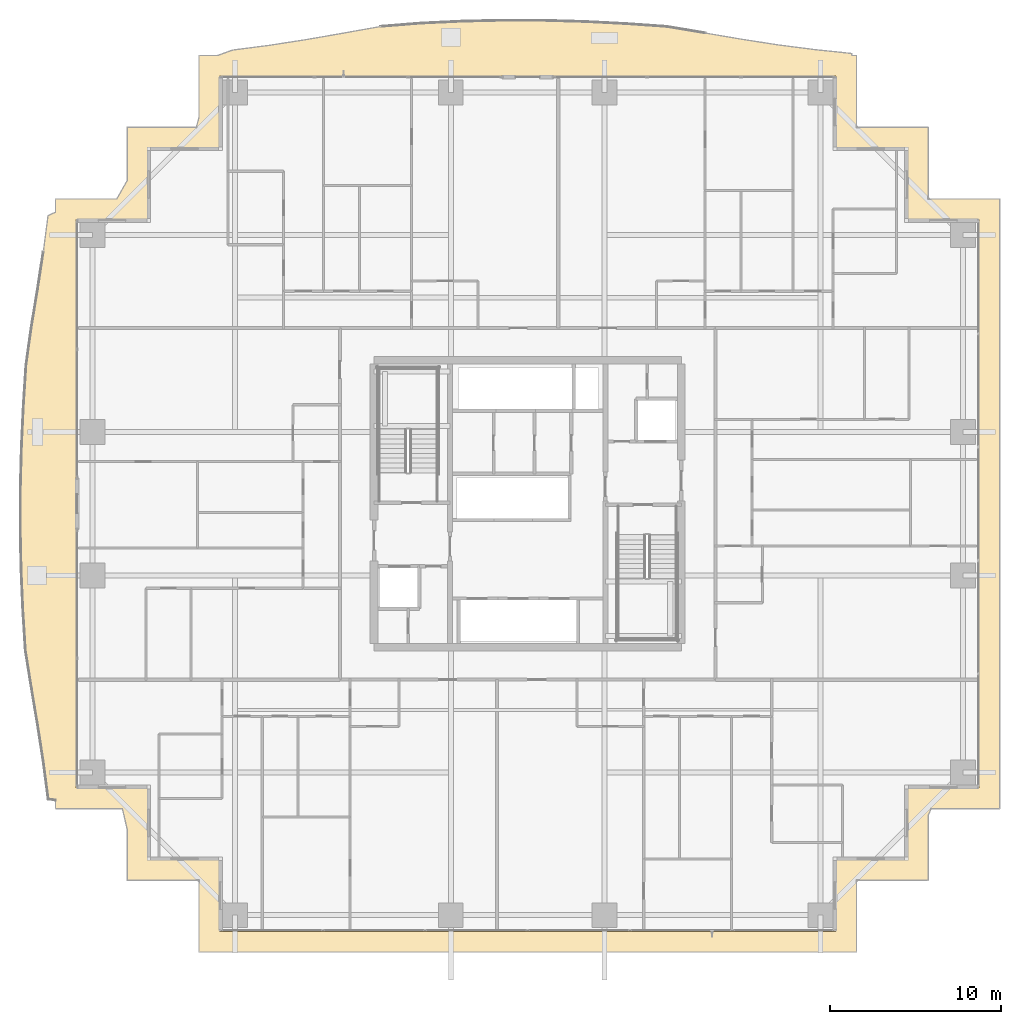
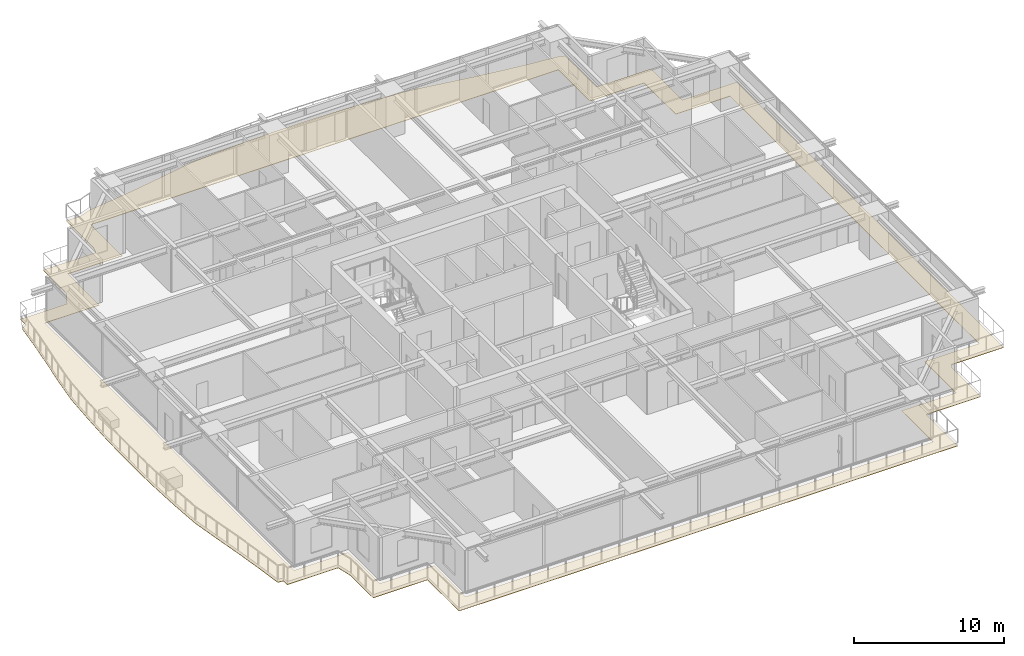
# One storey, part 33 of 36: 1 covering.
"""IFC4 building model written with IfcOpenShell, lengths in metres."""

from ifc_helpers import new_model, si_unit, direction, frame, origin, place, context, subcontext, project, spatial, polyline, outline, extrude, material, layer, layer_set, type_object, element, save


model = new_model("IFC4")

# Units and contexts
model_context = context("Model", 3, precision=1e-05, world=origin(), true_north=direction((0.0, 1.0)))
body_context = subcontext(model_context, "Body", "Model", "MODEL_VIEW")
ifc_project = project(units=[si_unit("LENGTHUNIT", "METRE"), si_unit("AREAUNIT", "SQUARE_METRE"), si_unit("VOLUMEUNIT", "CUBIC_METRE"), si_unit("PLANEANGLEUNIT", "RADIAN"), si_unit("MASSUNIT", "GRAM", prefix="KILO")], contexts=[model_context])

# Site, building, storey
site_placement = place(None, origin())
site = spatial("IfcSite", under=ifc_project, at=site_placement, CompositionType="ELEMENT")
building_placement = place(site_placement, origin())
building = spatial("IfcBuilding", under=site, at=building_placement, Name="Serunith Strait Residences", CompositionType="ELEMENT")
storey_placement = place(building_placement, frame((0.0, 0.0, 41.699951171875)))
storey = spatial("IfcBuildingStorey", under=building, at=storey_placement, Name="L09", CompositionType="ELEMENT", Elevation=41.699951171875)

# Covering
ifc_material = material(Name="Golden Teak Exterior Timber Boarding", Category="wood")
ifc_layer = layer(ifc_material, 0.034912109375, Name="Golden Teak Exterior Timber Boarding")
ifc_layer_set = layer_set([ifc_layer], Name="Golden Teak Exterior Timber Boarding")
covering_type = type_object("IfcCoveringType", Name="COV-TEAK-SOFFIT", PredefinedType="CEILING", material=ifc_layer_set)
covering_placement = place(storey_placement, frame((0.0, 0.0, -0.324951171875)))
element("IfcCovering", 1, at=covering_placement, inside=storey, type_object=covering_type, Name="L09 Golden-Teak Balcony Soffit Lining", PredefinedType="CEILING", context=body_context, shape_type="SweptSolid", body=[
    extrude(outline(polyline([(4.739990234375, 7.829833984375), (4.318603515625, 7.897216796875), (4.0380859375, 10.025390625), (3.7080078125, 12.17626953125), (3.340576171875, 14.366943359375), (2.9794921875, 16.618896484375), (2.832763671875, 18.974853515625), (2.73046875, 21.360107421875), (2.681396484375, 23.7646484375), (2.689453125, 26.17529296875), (2.752685546875, 28.578369140625), (2.8642578125, 30.961669921875), (3.01318359375, 33.316650390625), (3.3310546875, 35.5869140625), (3.693603515625, 37.7861328125), (4.0205078125, 39.945068359375), (4.29931640625, 42.079833984375), (4.739990234375, 42.28271484375), (4.739990234375, 43.06005859375), (8.32666015625, 43.06005859375), (8.93994140625, 44.139892578125), (8.93994140625, 47.260009765625), (12.990478515625, 47.260009765625), (13.139892578125, 47.826416015625), (13.139892578125, 51.4599609375), (14.225341796875, 51.4599609375), (15.106689453125, 51.778076171875), (17.228515625, 52.05224609375), (19.369873046875, 52.3837890625), (21.549560546875, 52.7626953125), (23.78759765625, 53.162109375), (26.1416015625, 53.348388671875), (28.53759765625, 53.46240234375), (30.955810546875, 53.517822265625), (33.38134765625, 53.509521484375), (35.798095703125, 53.440185546875), (38.192138671875, 53.317626953125), (40.553466796875, 53.155029296875), (42.805908203125, 52.77734375), (44.994873046875, 52.40283203125), (47.144775390625, 52.073486328125), (49.273193359375, 51.7998046875), (51.394287109375, 51.580810546875), (51.393310546875, 51.4599609375), (51.659912109375, 51.4599609375), (51.659912109375, 47.260009765625), (55.860107421875, 47.260009765625), (55.860107421875, 43.06005859375), (60.06005859375, 43.06005859375), (60.06005859375, 7.340087890625), (56.041259765625, 7.340087890625), (55.860107421875, 6.9423828125), (55.860107421875, 3.139892578125), (51.659912109375, 3.139892578125), (51.659912109375, -1.06005859375), (13.139892578125, -1.06005859375), (13.139892578125, 3.139892578125), (8.93994140625, 3.139892578125), (8.93994140625, 6.1171875), (8.6572265625, 7.340087890625), (4.739990234375, 7.340087890625), (4.739990234375, 7.829833984375)]), holes=[polyline([(50.455078125, 0.14501953125), (50.455078125, 4.344970703125), (54.655029296875, 4.344970703125), (54.655029296875, 8.544921875), (58.85498046875, 8.544921875), (58.85498046875, 41.85498046875), (54.655029296875, 41.85498046875), (54.655029296875, 46.054931640625), (50.455078125, 46.054931640625), (50.455078125, 50.2548828125), (14.344970703125, 50.2548828125), (14.344970703125, 46.054931640625), (10.14501953125, 46.054931640625), (10.14501953125, 41.85498046875), (5.945068359375, 41.85498046875), (5.945068359375, 8.544921875), (10.14501953125, 8.544921875), (10.14501953125, 4.344970703125), (14.344970703125, 4.344970703125), (14.344970703125, 0.14501953125), (50.455078125, 0.14501953125)])]), origin(), (0.0, 0.0, 1.0), 0.034912109375),
])

save(model, "model.ifc")
